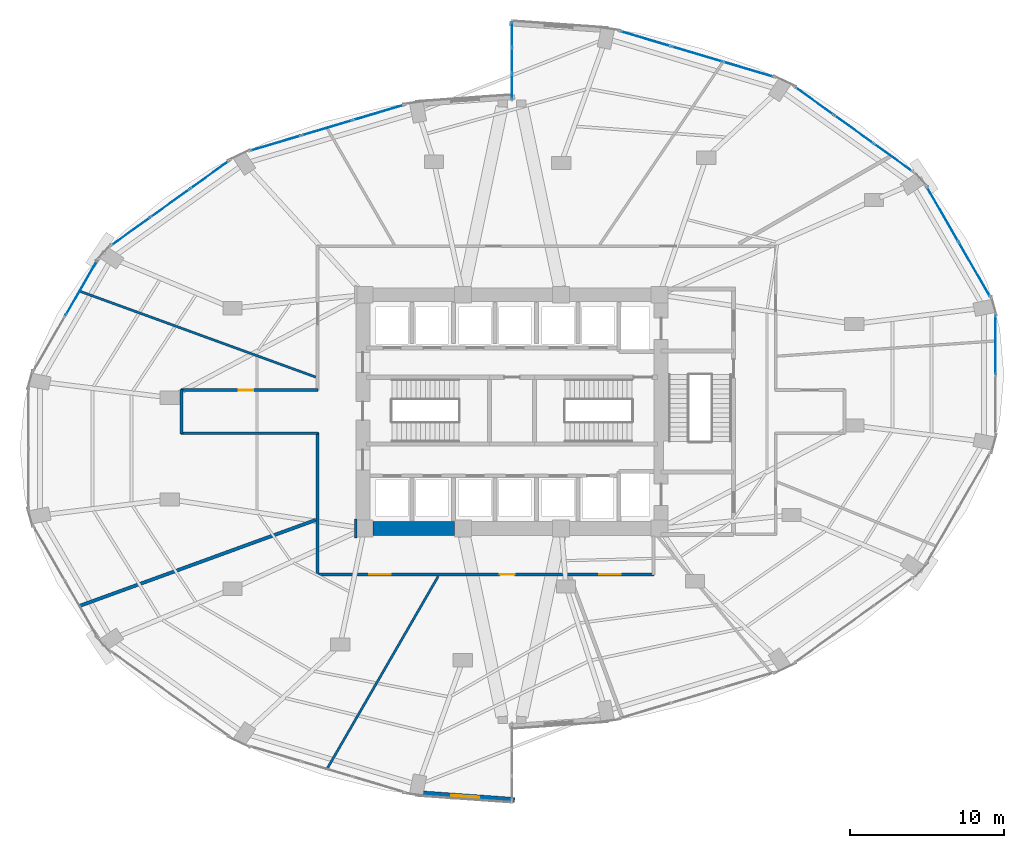
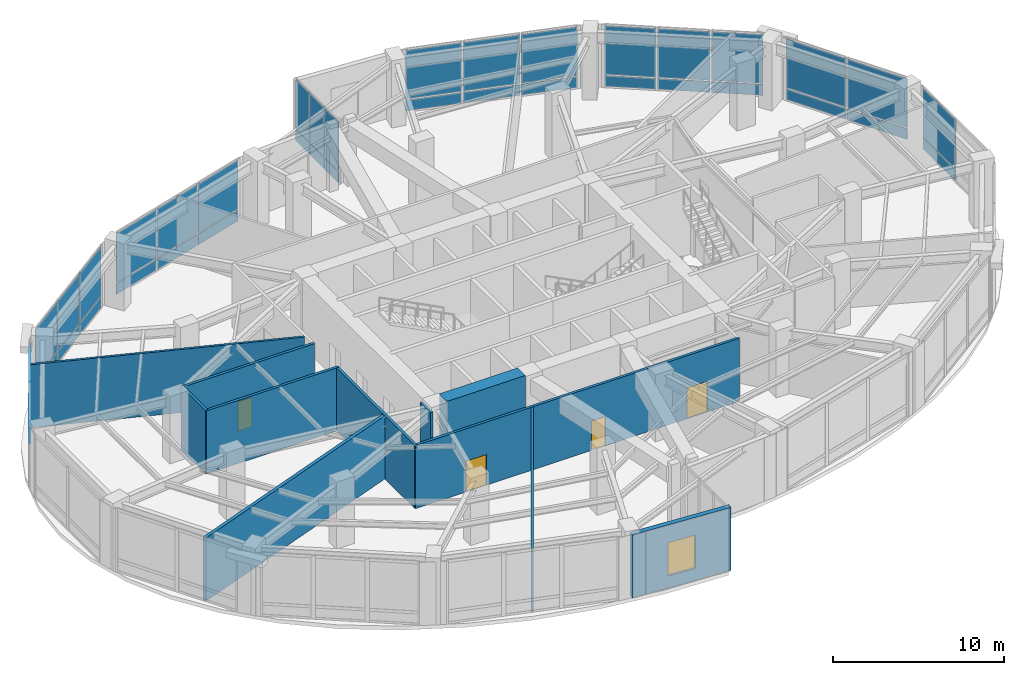
# One storey, part 20 of 24: 38 plates, 11 walls, 4 doors, 1 window, 5 openings, 8 elements without a shape of their own.
"""IFC4 building model written with IfcOpenShell, lengths in metres."""

import ifcopenshell
import ifcopenshell.guid

model = None  # the IFC model being written
_history = None  # IfcOwnerHistory: only IFC2X3 demands one
_inside = {}  # id of a spatial element -> (the spatial element, [elements in it])
_under = {}  # id of a project, library or spatial element -> (it, [spatial elements below it])
_declared = {}  # id of a project -> (the project, [libraries it declares])
_typed = {}  # id of a type object -> (the type object, [elements of that type])
_made_of = {}  # id of a material, layer set ... -> (it, [elements and type objects made of it])


def new_model(schema):
    """Start an empty IFC model of exactly this schema.

    Asked for "IFC4X3", IfcOpenShell would pick the latest addendum, in which some entities
    have other attributes; the version numbers below select the first issue.
    IFC2X3 requires an IfcOwnerHistory on every rooted entity: one is made here for all.
    """
    global model, _history
    if schema == "IFC4X3":
        model = ifcopenshell.file(schema_version=(4, 3, 0, 0))
    else:
        model = ifcopenshell.file(schema=schema)
    _inside.clear()
    _under.clear()
    _declared.clear()
    _typed.clear()
    _made_of.clear()
    _history = None
    if model.schema == "IFC2X3":
        org = make("IfcOrganization", Name="unknown")
        user = make(
            "IfcPersonAndOrganization",
            ThePerson=make("IfcPerson", FamilyName="unknown"),
            TheOrganization=org,
        )
        app = make(
            "IfcApplication",
            ApplicationDeveloper=org,
            Version="unknown",
            ApplicationFullName="unknown",
            ApplicationIdentifier="unknown",
        )
        _history = make(
            "IfcOwnerHistory",
            OwningUser=user,
            OwningApplication=app,
            ChangeAction="ADDED",
            CreationDate=0,
        )
    return model


def make(cls, **values):
    """One entity of the class cls with the attributes given. An attribute that is None is left unset."""
    return model.create_entity(
        cls, **{name: value for name, value in values.items() if value is not None}
    )


def rooted(cls, **values):
    """An entity with a GlobalId (a new one), such as an element, a storey or a relation."""
    return make(cls, GlobalId=ifcopenshell.guid.new(), OwnerHistory=_history, **values)


def si_unit(unit_type, name, prefix=None):
    """IfcSIUnit, for example si_unit("LENGTHUNIT", "METRE", prefix="MILLI")."""
    return make("IfcSIUnit", UnitType=unit_type, Prefix=prefix, Name=name)


def assignment(units):
    """IfcUnitAssignment: the units of a project."""
    return None if units is None else make("IfcUnitAssignment", Units=units)


def point(xyz):
    """IfcCartesianPoint."""
    return None if xyz is None else make("IfcCartesianPoint", Coordinates=xyz)


def direction(xyz):
    """IfcDirection."""
    return None if xyz is None else make("IfcDirection", DirectionRatios=xyz)


def frame(location, z_axis=None, x_axis=None):
    """IfcAxis2Placement3D, a coordinate frame: its origin and axes. An axis left out is left unset."""
    return make(
        "IfcAxis2Placement3D",
        Location=point(location),
        Axis=direction(z_axis),
        RefDirection=direction(x_axis),
    )


def frame_2d(location, x_axis=None):
    """IfcAxis2Placement2D, a coordinate frame in the plane: its origin and x axis."""
    return make(
        "IfcAxis2Placement2D", Location=point(location), RefDirection=direction(x_axis)
    )


def origin():
    """The frame at (0, 0, 0) with its axes left unset."""
    return frame((0.0, 0.0, 0.0))


def origin_2d():
    """The frame at (0, 0) in the plane with its x axis left unset."""
    return frame_2d((0.0, 0.0))


def place(relative_to, where):
    """IfcLocalPlacement: puts the frame where relative to a parent placement (None: the world)."""
    return make(
        "IfcLocalPlacement", PlacementRelTo=relative_to, RelativePlacement=where
    )


def context(
    kind, dimensions, precision=None, world=None, true_north=None, identifier=None
):
    """IfcGeometricRepresentationContext, for example the 3D "Model" context."""
    return make(
        "IfcGeometricRepresentationContext",
        ContextIdentifier=identifier,
        ContextType=kind,
        CoordinateSpaceDimension=dimensions,
        Precision=precision,
        WorldCoordinateSystem=world,
        TrueNorth=true_north,
    )


def subcontext(parent, identifier, kind, view, scale=None):
    """IfcGeometricRepresentationSubContext, for example "Body" below "Model"."""
    return make(
        "IfcGeometricRepresentationSubContext",
        ContextIdentifier=identifier,
        ContextType=kind,
        ParentContext=parent,
        TargetScale=scale,
        TargetView=view,
    )


def project(units=None, contexts=None):
    """IfcProject with its units and contexts."""
    return rooted(
        "IfcProject",
        Name="project",
        RepresentationContexts=contexts,
        UnitsInContext=assignment(units),
    )


def spatial(cls, under=None, at=None, **own):
    """A site, building, storey or space (cls), placed at a placement, below another one or the project."""
    s = rooted(cls, ObjectPlacement=at, **own)
    if under is not None:
        _under.setdefault(under.id(), (under, []))[1].append(s)
    return s


def profile(cls, at=None, kind="AREA", **sizes):
    """A parametric profile (cls). Its sizes go by their IFC names, for example OverallWidth=200.0."""
    return make(cls, ProfileType=kind, Position=at, **sizes)


def rectangle(**sizes):
    """IfcRectangleProfileDef."""
    return profile("IfcRectangleProfileDef", **sizes)


def extrude(swept, where, along, depth):
    """IfcExtrudedAreaSolid: the profile swept, set in the frame where, extruded along a direction by depth."""
    return make(
        "IfcExtrudedAreaSolid",
        SweptArea=swept,
        Position=where,
        ExtrudedDirection=direction(along),
        Depth=depth,
    )


def shape(context_of_items, identifier, shape_type, items):
    """IfcShapeRepresentation: the items that make up one representation, for example the "Body"."""
    return make(
        "IfcShapeRepresentation",
        ContextOfItems=context_of_items,
        RepresentationIdentifier=identifier,
        RepresentationType=shape_type,
        Items=items,
    )


def material(Name=None, Category=None):
    """IfcMaterial."""
    return make("IfcMaterial", Name=Name, Category=Category)


def layer(
    of_material, thickness, ventilated=None, Name=None, Category=None, Priority=None
):
    """IfcMaterialLayer: one layer of a wall or slab, of a material (None: an air gap)."""
    return make(
        "IfcMaterialLayer",
        Material=of_material,
        LayerThickness=thickness,
        IsVentilated=ventilated,
        Name=Name,
        Category=Category,
        Priority=Priority,
    )


def layer_set(layers, Name=None):
    """IfcMaterialLayerSet."""
    return make("IfcMaterialLayerSet", MaterialLayers=layers, LayerSetName=Name)


def made_of(thing, what):
    """Note that an element or type object is made of a material, layer set ...; save() writes the relation."""
    if what is not None:
        _made_of.setdefault(what.id(), (what, []))[1].append(thing)
    return thing


def type_object(cls, material=None, **own):
    """A type object (cls), such as IfcWallType, which elements share."""
    return made_of(rooted(cls, **own), material)


def element(
    cls,
    number,
    at=None,
    inside=None,
    cuts=None,
    type_object=None,
    material=None,
    context=None,
    identifier="Body",
    shape_type=None,
    held_by="IfcProductDefinitionShape",
    body=None,
    shapes=None,
    **own,
):
    """One element of the class cls, such as IfcWall. Its Tag is "e" and its number.

    at: its placement. inside: the storey or other place that contains it. cuts: it is an
    opening in that element (IfcRelVoidsElement). A single representation is given by context,
    identifier, shape_type and body (its items); several are given by shapes. held_by: the class
    of the entity that holds the representations. save() writes the other relations.
    """
    e = rooted(cls, Tag="e%d" % number, ObjectPlacement=at, **own)
    if body is not None:
        shapes = [shape(context, identifier, shape_type, body)]
    if shapes is not None:
        e.Representation = make(held_by, Representations=shapes)
    if inside is not None:
        _inside.setdefault(inside.id(), (inside, []))[1].append(e)
    if cuts is not None:
        rooted(
            "IfcRelVoidsElement", RelatingBuildingElement=cuts, RelatedOpeningElement=e
        )
    if type_object is not None:
        _typed.setdefault(type_object.id(), (type_object, []))[1].append(e)
    return made_of(e, material)


def fill(opening, filler):
    """IfcRelFillsElement: the door or window that sits in an opening."""
    return rooted(
        "IfcRelFillsElement",
        RelatingOpeningElement=opening,
        RelatedBuildingElement=filler,
    )


def aggregate(whole, parts):
    """IfcRelAggregates: a whole, such as a stair, and the parts it consists of."""
    return rooted("IfcRelAggregates", RelatingObject=whole, RelatedObjects=parts)


def save(model, path):
    """Write the relations noted so far, then the file.

    IfcRelAggregates (storeys below a building ...), IfcRelContainedInSpatialStructure (elements
    in a storey), IfcRelDefinesByType, IfcRelAssociatesMaterial and IfcRelDeclares: one each for
    every whole, place, type object, material and project.
    """
    for whole, parts in _under.values():
        aggregate(whole, parts)
    for where, things in _inside.values():
        rooted(
            "IfcRelContainedInSpatialStructure",
            RelatedElements=things,
            RelatingStructure=where,
        )
    for kind, things in _typed.values():
        rooted("IfcRelDefinesByType", RelatedObjects=things, RelatingType=kind)
    for what, things in _made_of.values():
        rooted("IfcRelAssociatesMaterial", RelatedObjects=things, RelatingMaterial=what)
    for by, libraries in _declared.values():
        rooted("IfcRelDeclares", RelatingContext=by, RelatedDefinitions=libraries)
    model.write(path)


model = new_model("IFC4")

# Units and contexts
model_context = context("Model", 3, precision=1e-05, world=origin(), true_north=direction((0.0, 1.0)))
body_context = subcontext(model_context, "Body", "Model", "MODEL_VIEW")
ifc_project = project(units=[si_unit("LENGTHUNIT", "METRE"), si_unit("AREAUNIT", "SQUARE_METRE"), si_unit("VOLUMEUNIT", "CUBIC_METRE"), si_unit("PLANEANGLEUNIT", "RADIAN"), si_unit("MASSUNIT", "GRAM", prefix="KILO")], contexts=[model_context])

# Site, building, storey
site_placement = place(None, origin())
site = spatial("IfcSite", under=ifc_project, at=site_placement, CompositionType="ELEMENT")
building_placement = place(site_placement, origin())
building = spatial("IfcBuilding", under=site, at=building_placement, Name="Lazwardi Medical Tower", CompositionType="ELEMENT")
storey_placement = place(building_placement, frame((0.0, 0.0, 15.60009765625)))
storey = spatial("IfcBuildingStorey", under=building, at=storey_placement, Name="L03", CompositionType="ELEMENT", Elevation=15.60009765625)

# Curtain wall, plate
ifc_material_1 = material(Name="Anodised bronze aluminium and solar control glazing", Category="aluminium")
ifc_layer_1 = layer(ifc_material_1, 0.219970703125)
ifc_layer_set_1 = layer_set([ifc_layer_1], Name="Anodised bronze aluminium and solar control glazing")
curtain_wall_type_1 = type_object("IfcCurtainWallType", Name="CW-SYS-01", PredefinedType="NOTDEFINED", material=ifc_layer_set_1)
curtain_wall_1_placement = place(storey_placement, origin())
curtain_wall_1 = element("IfcCurtainWall", 1, at=curtain_wall_1_placement, inside=storey, type_object=curtain_wall_type_1, Name="L03 Unitised bronze curtain wall CW-01", PredefinedType="NOTDEFINED")
ifc_material_2 = material(Name="Bronze girih ceramic-frit spandrel glazing", Category="glass")
ifc_layer_2 = layer(ifc_material_2, 0.048095703125)
ifc_layer_set_2 = layer_set([ifc_layer_2], Name="Bronze girih ceramic-frit spandrel glazing")
plate_type_1 = type_object("IfcPlateType", Name="PLT-FRT-01", PredefinedType="CURTAIN_PANEL", material=ifc_layer_set_2)
plate_1_placement = place(storey_placement, frame((67.439697265625, 32.33837890625, 0.0849609375), z_axis=(0.0, 0.0, 1.0), x_axis=(0.0, 1.0, 0.0)))
plate_1 = element("IfcPlate", 2, at=plate_1_placement, type_object=plate_type_1, Name="CW-01 panel 2.1", PredefinedType="CURTAIN_PANEL", context=body_context, shape_type="SweptSolid", body=[
    extrude(rectangle(XDim=3.791748046875, YDim=0.048095703125, at=origin_2d()), origin(), (0.0, 0.0, 1.0), 0.7724609375),
])

# Curtain wall, plates
curtain_wall_2_placement = place(storey_placement, origin())
curtain_wall_2 = element("IfcCurtainWall", 3, at=curtain_wall_2_placement, inside=storey, type_object=curtain_wall_type_1, Name="L03 Unitised bronze curtain wall CW-01", PredefinedType="NOTDEFINED")
plate_2_placement = place(storey_placement, frame((66.080322265625, 37.24609375, 0.0849609375), z_axis=(0.0, 0.0, 1.0), x_axis=(-0.499731082384, 0.866180607783, 0.0)))
plate_2 = element("IfcPlate", 4, at=plate_2_placement, type_object=plate_type_1, Name="CW-01 panel 1.1", PredefinedType="CURTAIN_PANEL", context=body_context, shape_type="SweptSolid", body=[
    extrude(rectangle(XDim=4.052734375, YDim=0.048095703125, at=origin_2d()), origin(), (0.0, 0.0, 1.0), 0.7724609375),
])
plate_3_placement = place(storey_placement, frame((64.012451171875, 40.830078125, 0.0849609375), z_axis=(0.0, 0.0, 1.0), x_axis=(-0.499731082384, 0.866180607783, 0.0)))
plate_3 = element("IfcPlate", 5, at=plate_3_placement, type_object=plate_type_1, Name="CW-01 panel 2.1", PredefinedType="CURTAIN_PANEL", context=body_context, shape_type="SweptSolid", body=[
    extrude(rectangle(XDim=4.052734375, YDim=0.048095703125, at=origin_2d()), origin(), (0.0, 0.0, 1.0), 0.7724609375),
])

curtain_wall_3_placement = place(storey_placement, origin())
curtain_wall_3 = element("IfcCurtainWall", 6, at=curtain_wall_3_placement, inside=storey, type_object=curtain_wall_type_1, Name="L03 Unitised bronze curtain wall CW-01", PredefinedType="NOTDEFINED")
plate_4_placement = place(storey_placement, frame((60.787109375, 44.52587890625, 0.0849609375), z_axis=(0.0, 0.0, 1.0), x_axis=(-0.812318365083, 0.583214260584, 0.0)))
plate_4 = element("IfcPlate", 7, at=plate_4_placement, type_object=plate_type_1, Name="CW-01 panel 1.1", PredefinedType="CURTAIN_PANEL", context=body_context, shape_type="SweptSolid", body=[
    extrude(rectangle(XDim=3.040283203125, YDim=0.048095703125, at=origin_2d()), origin(), (0.0, 0.0, 1.0), 0.7724609375),
])
plate_5_placement = place(storey_placement, frame((58.231201171875, 46.361083984375, 0.0849609375), z_axis=(0.0, 0.0, 1.0), x_axis=(-0.812318365083, 0.583214260584, 0.0)))
plate_5 = element("IfcPlate", 8, at=plate_5_placement, type_object=plate_type_1, Name="CW-01 panel 2.1", PredefinedType="CURTAIN_PANEL", context=body_context, shape_type="SweptSolid", body=[
    extrude(rectangle(XDim=3.082763671875, YDim=0.048095703125, at=origin_2d()), origin(), (0.0, 0.0, 1.0), 0.7724609375),
])
plate_6_placement = place(storey_placement, frame((55.675048828125, 48.196044921875, 0.0849609375), z_axis=(0.0, 0.0, 1.0), x_axis=(-0.812318365083, 0.583214260584, 0.0)))
plate_6 = element("IfcPlate", 9, at=plate_6_placement, type_object=plate_type_1, Name="CW-01 panel 3.1", PredefinedType="CURTAIN_PANEL", context=body_context, shape_type="SweptSolid", body=[
    extrude(rectangle(XDim=3.040283203125, YDim=0.048095703125, at=origin_2d()), origin(), (0.0, 0.0, 1.0), 0.7724609375),
])

curtain_wall_4_placement = place(storey_placement, origin())
curtain_wall_4 = element("IfcCurtainWall", 10, at=curtain_wall_4_placement, inside=storey, type_object=curtain_wall_type_1, Name="L03 Unitised bronze curtain wall CW-01", PredefinedType="NOTDEFINED")
plate_7_placement = place(storey_placement, frame((51.373291015625, 50.26025390625, 0.0849609375), z_axis=(0.0, 0.0, 1.0), x_axis=(-0.958513482597, 0.285047195531, 0.0)))
plate_7 = element("IfcPlate", 11, at=plate_7_placement, type_object=plate_type_1, Name="CW-01 panel 1.1", PredefinedType="CURTAIN_PANEL", context=body_context, shape_type="SweptSolid", body=[
    extrude(rectangle(XDim=3.380126953125, YDim=0.048095703125, at=origin_2d()), origin(), (0.0, 0.0, 1.0), 0.7724609375),
])
plate_8_placement = place(storey_placement, frame((48.031494140625, 51.254150390625, 0.0849609375), z_axis=(0.0, 0.0, 1.0), x_axis=(-0.958513482597, 0.285047195531, 0.0)))
plate_8 = element("IfcPlate", 12, at=plate_8_placement, type_object=plate_type_1, Name="CW-01 panel 2.1", PredefinedType="CURTAIN_PANEL", context=body_context, shape_type="SweptSolid", body=[
    extrude(rectangle(XDim=3.422607421875, YDim=0.048095703125, at=origin_2d()), origin(), (0.0, 0.0, 1.0), 0.7724609375),
])
plate_9_placement = place(storey_placement, frame((44.689453125, 52.247802734375, 0.0849609375), z_axis=(0.0, 0.0, 1.0), x_axis=(-0.958513482597, 0.285047195531, 0.0)))
plate_9 = element("IfcPlate", 13, at=plate_9_placement, type_object=plate_type_1, Name="CW-01 panel 3.1", PredefinedType="CURTAIN_PANEL", context=body_context, shape_type="SweptSolid", body=[
    extrude(rectangle(XDim=3.380126953125, YDim=0.048095703125, at=origin_2d()), origin(), (0.0, 0.0, 1.0), 0.7724609375),
])

curtain_wall_5_placement = place(storey_placement, origin())
curtain_wall_5 = element("IfcCurtainWall", 14, at=curtain_wall_5_placement, inside=storey, type_object=curtain_wall_type_1, Name="L03 Unitised bronze curtain wall CW-01", PredefinedType="NOTDEFINED")
plate_10_placement = place(storey_placement, frame((27.310546875, 47.447998046875, 0.0849609375), z_axis=(0.0, 0.0, 1.0), x_axis=(-0.958513482597, -0.285047195531, 0.0)))
plate_10 = element("IfcPlate", 15, at=plate_10_placement, type_object=plate_type_1, Name="CW-01 panel 1.1", PredefinedType="CURTAIN_PANEL", context=body_context, shape_type="SweptSolid", body=[
    extrude(rectangle(XDim=3.380126953125, YDim=0.048095703125, at=origin_2d()), origin(), (0.0, 0.0, 1.0), 0.7724609375),
])
plate_11_placement = place(storey_placement, frame((23.968505859375, 46.4541015625, 0.0849609375), z_axis=(0.0, 0.0, 1.0), x_axis=(-0.958513482597, -0.285047195531, 0.0)))
plate_11 = element("IfcPlate", 16, at=plate_11_placement, type_object=plate_type_1, Name="CW-01 panel 2.1", PredefinedType="CURTAIN_PANEL", context=body_context, shape_type="SweptSolid", body=[
    extrude(rectangle(XDim=3.422607421875, YDim=0.048095703125, at=origin_2d()), origin(), (0.0, 0.0, 1.0), 0.7724609375),
])
plate_12_placement = place(storey_placement, frame((20.626708984375, 45.460205078125, 0.0849609375), z_axis=(0.0, 0.0, 1.0), x_axis=(-0.958513482597, -0.285047195531, 0.0)))
plate_12 = element("IfcPlate", 17, at=plate_12_placement, type_object=plate_type_1, Name="CW-01 panel 3.1", PredefinedType="CURTAIN_PANEL", context=body_context, shape_type="SweptSolid", body=[
    extrude(rectangle(XDim=3.380126953125, YDim=0.048095703125, at=origin_2d()), origin(), (0.0, 0.0, 1.0), 0.7724609375),
])

curtain_wall_6_placement = place(storey_placement, origin())
curtain_wall_6 = element("IfcCurtainWall", 18, at=curtain_wall_6_placement, inside=storey, type_object=curtain_wall_type_1, Name="L03 Unitised bronze curtain wall CW-01", PredefinedType="NOTDEFINED")
plate_13_placement = place(storey_placement, frame((16.324951171875, 43.396240234375, 0.0849609375), z_axis=(0.0, 0.0, 1.0), x_axis=(-0.812318365083, -0.583214260584, 0.0)))
plate_13 = element("IfcPlate", 19, at=plate_13_placement, type_object=plate_type_1, Name="CW-01 panel 1.1", PredefinedType="CURTAIN_PANEL", context=body_context, shape_type="SweptSolid", body=[
    extrude(rectangle(XDim=3.040283203125, YDim=0.048095703125, at=origin_2d()), origin(), (0.0, 0.0, 1.0), 0.7724609375),
])
plate_14_placement = place(storey_placement, frame((13.768798828125, 41.56103515625, 0.0849609375), z_axis=(0.0, 0.0, 1.0), x_axis=(-0.812318365083, -0.583214260584, 0.0)))
plate_14 = element("IfcPlate", 20, at=plate_14_placement, type_object=plate_type_1, Name="CW-01 panel 2.1", PredefinedType="CURTAIN_PANEL", context=body_context, shape_type="SweptSolid", body=[
    extrude(rectangle(XDim=3.082763671875, YDim=0.048095703125, at=origin_2d()), origin(), (0.0, 0.0, 1.0), 0.7724609375),
])
plate_15_placement = place(storey_placement, frame((11.212890625, 39.725830078125, 0.0849609375), z_axis=(0.0, 0.0, 1.0), x_axis=(-0.812318365083, -0.583214260584, 0.0)))
plate_15 = element("IfcPlate", 21, at=plate_15_placement, type_object=plate_type_1, Name="CW-01 panel 3.1", PredefinedType="CURTAIN_PANEL", context=body_context, shape_type="SweptSolid", body=[
    extrude(rectangle(XDim=3.040283203125, YDim=0.048095703125, at=origin_2d()), origin(), (0.0, 0.0, 1.0), 0.7724609375),
])

# Curtain wall, plate
curtain_wall_7_placement = place(storey_placement, origin())
curtain_wall_7 = element("IfcCurtainWall", 22, at=curtain_wall_7_placement, inside=storey, type_object=curtain_wall_type_1, Name="L03 Unitised bronze curtain wall CW-01", PredefinedType="NOTDEFINED")
plate_16_placement = place(storey_placement, frame((7.987548828125, 36.030029296875, 0.0849609375), z_axis=(0.0, 0.0, 1.0), x_axis=(-0.499731082384, -0.866180607783, 0.0)))
plate_16 = element("IfcPlate", 23, at=plate_16_placement, type_object=plate_type_1, Name="CW-01 panel 1.1", PredefinedType="CURTAIN_PANEL", context=body_context, shape_type="SweptSolid", body=[
    extrude(rectangle(XDim=4.052734375, YDim=0.048095703125, at=origin_2d()), origin(), (0.0, 0.0, 1.0), 0.7724609375),
])

# Plate
ifc_material_3 = material(Name="Laminated acoustic bronze double glazing", Category="glass")
ifc_layer_3 = layer(ifc_material_3, 0.0419921875)
ifc_layer_set_3 = layer_set([ifc_layer_3], Name="Laminated acoustic bronze double glazing")
plate_type_2 = type_object("IfcPlateType", Name="PLT-GLZ-02", PredefinedType="CURTAIN_PANEL", material=ifc_layer_set_3)
plate_17_placement = place(storey_placement, frame((67.439697265625, 32.33837890625, 0.9423828125), z_axis=(0.0, 0.0, 1.0), x_axis=(0.0, 1.0, 0.0)))
plate_17 = element("IfcPlate", 24, at=plate_17_placement, type_object=plate_type_2, Name="CW-01 panel 2.2", PredefinedType="CURTAIN_PANEL", context=body_context, shape_type="SweptSolid", body=[
    extrude(rectangle(XDim=3.791748046875, YDim=0.0419921875, at=origin_2d()), origin(), (0.0, 0.0, 1.0), 3.492431640625),
])

aggregate(curtain_wall_1, [plate_1, plate_17])

plate_18_placement = place(storey_placement, frame((66.080322265625, 37.24609375, 0.9423828125), z_axis=(0.0, 0.0, 1.0), x_axis=(-0.499731082384, 0.866180607783, 0.0)))
plate_18 = element("IfcPlate", 25, at=plate_18_placement, type_object=plate_type_2, Name="CW-01 panel 1.2", PredefinedType="CURTAIN_PANEL", context=body_context, shape_type="SweptSolid", body=[
    extrude(rectangle(XDim=4.052734375, YDim=0.0419921875, at=origin_2d()), origin(), (0.0, 0.0, 1.0), 3.492431640625),
])

plate_19_placement = place(storey_placement, frame((64.012451171875, 40.830078125, 0.9423828125), z_axis=(0.0, 0.0, 1.0), x_axis=(-0.499731082384, 0.866180607783, 0.0)))
plate_19 = element("IfcPlate", 26, at=plate_19_placement, type_object=plate_type_2, Name="CW-01 panel 2.2", PredefinedType="CURTAIN_PANEL", context=body_context, shape_type="SweptSolid", body=[
    extrude(rectangle(XDim=4.052734375, YDim=0.0419921875, at=origin_2d()), origin(), (0.0, 0.0, 1.0), 3.492431640625),
])

aggregate(curtain_wall_2, [plate_2, plate_18, plate_3, plate_19])

plate_20_placement = place(storey_placement, frame((60.787109375, 44.52587890625, 0.9423828125), z_axis=(0.0, 0.0, 1.0), x_axis=(-0.812318365083, 0.583214260584, 0.0)))
plate_20 = element("IfcPlate", 27, at=plate_20_placement, type_object=plate_type_2, Name="CW-01 panel 1.2", PredefinedType="CURTAIN_PANEL", context=body_context, shape_type="SweptSolid", body=[
    extrude(rectangle(XDim=3.040283203125, YDim=0.0419921875, at=origin_2d()), origin(), (0.0, 0.0, 1.0), 3.492431640625),
])

plate_21_placement = place(storey_placement, frame((58.231201171875, 46.361083984375, 0.9423828125), z_axis=(0.0, 0.0, 1.0), x_axis=(-0.812318365083, 0.583214260584, 0.0)))
plate_21 = element("IfcPlate", 28, at=plate_21_placement, type_object=plate_type_2, Name="CW-01 panel 2.2", PredefinedType="CURTAIN_PANEL", context=body_context, shape_type="SweptSolid", body=[
    extrude(rectangle(XDim=3.082763671875, YDim=0.0419921875, at=origin_2d()), origin(), (0.0, 0.0, 1.0), 3.492431640625),
])

plate_22_placement = place(storey_placement, frame((55.675048828125, 48.196044921875, 0.9423828125), z_axis=(0.0, 0.0, 1.0), x_axis=(-0.812318365083, 0.583214260584, 0.0)))
plate_22 = element("IfcPlate", 29, at=plate_22_placement, type_object=plate_type_2, Name="CW-01 panel 3.2", PredefinedType="CURTAIN_PANEL", context=body_context, shape_type="SweptSolid", body=[
    extrude(rectangle(XDim=3.040283203125, YDim=0.0419921875, at=origin_2d()), origin(), (0.0, 0.0, 1.0), 3.492431640625),
])

aggregate(curtain_wall_3, [plate_4, plate_20, plate_5, plate_21, plate_6, plate_22])

plate_23_placement = place(storey_placement, frame((51.373291015625, 50.26025390625, 0.9423828125), z_axis=(0.0, 0.0, 1.0), x_axis=(-0.958513482597, 0.285047195531, 0.0)))
plate_23 = element("IfcPlate", 30, at=plate_23_placement, type_object=plate_type_2, Name="CW-01 panel 1.2", PredefinedType="CURTAIN_PANEL", context=body_context, shape_type="SweptSolid", body=[
    extrude(rectangle(XDim=3.380126953125, YDim=0.0419921875, at=origin_2d()), origin(), (0.0, 0.0, 1.0), 3.492431640625),
])

plate_24_placement = place(storey_placement, frame((48.031494140625, 51.254150390625, 0.9423828125), z_axis=(0.0, 0.0, 1.0), x_axis=(-0.958513482597, 0.285047195531, 0.0)))
plate_24 = element("IfcPlate", 31, at=plate_24_placement, type_object=plate_type_2, Name="CW-01 panel 2.2", PredefinedType="CURTAIN_PANEL", context=body_context, shape_type="SweptSolid", body=[
    extrude(rectangle(XDim=3.422607421875, YDim=0.0419921875, at=origin_2d()), origin(), (0.0, 0.0, 1.0), 3.492431640625),
])

plate_25_placement = place(storey_placement, frame((44.689453125, 52.247802734375, 0.9423828125), z_axis=(0.0, 0.0, 1.0), x_axis=(-0.958513482597, 0.285047195531, 0.0)))
plate_25 = element("IfcPlate", 32, at=plate_25_placement, type_object=plate_type_2, Name="CW-01 panel 3.2", PredefinedType="CURTAIN_PANEL", context=body_context, shape_type="SweptSolid", body=[
    extrude(rectangle(XDim=3.380126953125, YDim=0.0419921875, at=origin_2d()), origin(), (0.0, 0.0, 1.0), 3.492431640625),
])

aggregate(curtain_wall_4, [plate_7, plate_23, plate_8, plate_24, plate_9, plate_25])

plate_26_placement = place(storey_placement, frame((27.310546875, 47.447998046875, 0.9423828125), z_axis=(0.0, 0.0, 1.0), x_axis=(-0.958513482597, -0.285047195531, 0.0)))
plate_26 = element("IfcPlate", 33, at=plate_26_placement, type_object=plate_type_2, Name="CW-01 panel 1.2", PredefinedType="CURTAIN_PANEL", context=body_context, shape_type="SweptSolid", body=[
    extrude(rectangle(XDim=3.380126953125, YDim=0.0419921875, at=origin_2d()), origin(), (0.0, 0.0, 1.0), 3.492431640625),
])

plate_27_placement = place(storey_placement, frame((23.968505859375, 46.4541015625, 0.9423828125), z_axis=(0.0, 0.0, 1.0), x_axis=(-0.958513482597, -0.285047195531, 0.0)))
plate_27 = element("IfcPlate", 34, at=plate_27_placement, type_object=plate_type_2, Name="CW-01 panel 2.2", PredefinedType="CURTAIN_PANEL", context=body_context, shape_type="SweptSolid", body=[
    extrude(rectangle(XDim=3.422607421875, YDim=0.0419921875, at=origin_2d()), origin(), (0.0, 0.0, 1.0), 3.492431640625),
])

plate_28_placement = place(storey_placement, frame((20.626708984375, 45.460205078125, 0.9423828125), z_axis=(0.0, 0.0, 1.0), x_axis=(-0.958513482597, -0.285047195531, 0.0)))
plate_28 = element("IfcPlate", 35, at=plate_28_placement, type_object=plate_type_2, Name="CW-01 panel 3.2", PredefinedType="CURTAIN_PANEL", context=body_context, shape_type="SweptSolid", body=[
    extrude(rectangle(XDim=3.380126953125, YDim=0.0419921875, at=origin_2d()), origin(), (0.0, 0.0, 1.0), 3.492431640625),
])

aggregate(curtain_wall_5, [plate_10, plate_26, plate_11, plate_27, plate_12, plate_28])

plate_29_placement = place(storey_placement, frame((16.324951171875, 43.396240234375, 0.9423828125), z_axis=(0.0, 0.0, 1.0), x_axis=(-0.812318365083, -0.583214260584, 0.0)))
plate_29 = element("IfcPlate", 36, at=plate_29_placement, type_object=plate_type_2, Name="CW-01 panel 1.2", PredefinedType="CURTAIN_PANEL", context=body_context, shape_type="SweptSolid", body=[
    extrude(rectangle(XDim=3.040283203125, YDim=0.0419921875, at=origin_2d()), origin(), (0.0, 0.0, 1.0), 3.492431640625),
])

plate_30_placement = place(storey_placement, frame((13.768798828125, 41.56103515625, 0.9423828125), z_axis=(0.0, 0.0, 1.0), x_axis=(-0.812318365083, -0.583214260584, 0.0)))
plate_30 = element("IfcPlate", 37, at=plate_30_placement, type_object=plate_type_2, Name="CW-01 panel 2.2", PredefinedType="CURTAIN_PANEL", context=body_context, shape_type="SweptSolid", body=[
    extrude(rectangle(XDim=3.082763671875, YDim=0.0419921875, at=origin_2d()), origin(), (0.0, 0.0, 1.0), 3.492431640625),
])

plate_31_placement = place(storey_placement, frame((11.212890625, 39.725830078125, 0.9423828125), z_axis=(0.0, 0.0, 1.0), x_axis=(-0.812318365083, -0.583214260584, 0.0)))
plate_31 = element("IfcPlate", 38, at=plate_31_placement, type_object=plate_type_2, Name="CW-01 panel 3.2", PredefinedType="CURTAIN_PANEL", context=body_context, shape_type="SweptSolid", body=[
    extrude(rectangle(XDim=3.040283203125, YDim=0.0419921875, at=origin_2d()), origin(), (0.0, 0.0, 1.0), 3.492431640625),
])

aggregate(curtain_wall_6, [plate_13, plate_29, plate_14, plate_30, plate_15, plate_31])

plate_32_placement = place(storey_placement, frame((7.987548828125, 36.030029296875, 0.9423828125), z_axis=(0.0, 0.0, 1.0), x_axis=(-0.499731082384, -0.866180607783, 0.0)))
plate_32 = element("IfcPlate", 39, at=plate_32_placement, type_object=plate_type_2, Name="CW-01 panel 1.2", PredefinedType="CURTAIN_PANEL", context=body_context, shape_type="SweptSolid", body=[
    extrude(rectangle(XDim=4.052734375, YDim=0.0419921875, at=origin_2d()), origin(), (0.0, 0.0, 1.0), 3.492431640625),
])

aggregate(curtain_wall_7, [plate_16, plate_32])

# Curtain wall, plates
ifc_layer_4 = layer(ifc_material_1, 0.2099609375)
ifc_layer_set_4 = layer_set([ifc_layer_4], Name="Anodised bronze aluminium and solar control glazing")
curtain_wall_type_2 = type_object("IfcCurtainWallType", Name="CW-SYS-06", PredefinedType="NOTDEFINED", material=ifc_layer_set_4)
curtain_wall_8_placement = place(storey_placement, origin())
curtain_wall_8 = element("IfcCurtainWall", 40, at=curtain_wall_8_placement, inside=storey, type_object=curtain_wall_type_2, Name="L03 Unitised bronze curtain wall CW-06", PredefinedType="NOTDEFINED")
ifc_material_4 = material(Name="Turquoise glazed ceramic insulated panel", Category="glass")
ifc_layer_5 = layer(ifc_material_4, 0.053955078125)
ifc_layer_set_5 = layer_set([ifc_layer_5], Name="Turquoise glazed ceramic insulated panel")
plate_type_3 = type_object("IfcPlateType", Name="PLT-TRQ-01", PredefinedType="CURTAIN_PANEL", material=ifc_layer_set_5)
plate_33_placement = place(storey_placement, frame((36.0, 52.52783203125, 0.074951171875), z_axis=(0.0, 0.0, 1.0), x_axis=(0.0, -1.0, 0.0)))
plate_33 = element("IfcPlate", 41, at=plate_33_placement, type_object=plate_type_3, Name="CW-06 panel 1.1", PredefinedType="CURTAIN_PANEL", context=body_context, shape_type="SweptSolid", body=[
    extrude(rectangle(XDim=1.59423828125, YDim=0.053955078125, at=origin_2d()), origin(), (0.0, 0.0, 1.0), 0.78759765625),
])
plate_34_placement = place(storey_placement, frame((36.0, 52.52783203125, 0.9375), z_axis=(0.0, 0.0, 1.0), x_axis=(0.0, -1.0, 0.0)))
plate_34 = element("IfcPlate", 42, at=plate_34_placement, type_object=plate_type_3, Name="CW-06 panel 1.2", PredefinedType="CURTAIN_PANEL", context=body_context, shape_type="SweptSolid", body=[
    extrude(rectangle(XDim=1.59423828125, YDim=0.053955078125, at=origin_2d()), origin(), (0.0, 0.0, 1.0), 3.507568359375),
])
plate_35_placement = place(storey_placement, frame((36.0, 50.840087890625, 0.074951171875), z_axis=(0.0, 0.0, 1.0), x_axis=(0.0, -1.0, 0.0)))
plate_35 = element("IfcPlate", 43, at=plate_35_placement, type_object=plate_type_3, Name="CW-06 panel 2.1", PredefinedType="CURTAIN_PANEL", context=body_context, shape_type="SweptSolid", body=[
    extrude(rectangle(XDim=1.631591796875, YDim=0.053955078125, at=origin_2d()), origin(), (0.0, 0.0, 1.0), 0.78759765625),
])
plate_36_placement = place(storey_placement, frame((36.0, 50.840087890625, 0.9375), z_axis=(0.0, 0.0, 1.0), x_axis=(0.0, -1.0, 0.0)))
plate_36 = element("IfcPlate", 44, at=plate_36_placement, type_object=plate_type_3, Name="CW-06 panel 2.2", PredefinedType="CURTAIN_PANEL", context=body_context, shape_type="SweptSolid", body=[
    extrude(rectangle(XDim=1.631591796875, YDim=0.053955078125, at=origin_2d()), origin(), (0.0, 0.0, 1.0), 3.507568359375),
])
plate_37_placement = place(storey_placement, frame((36.0, 49.152099609375, 0.074951171875), z_axis=(0.0, 0.0, 1.0), x_axis=(0.0, -1.0, 0.0)))
plate_37 = element("IfcPlate", 45, at=plate_37_placement, type_object=plate_type_3, Name="CW-06 panel 3.1", PredefinedType="CURTAIN_PANEL", context=body_context, shape_type="SweptSolid", body=[
    extrude(rectangle(XDim=1.59423828125, YDim=0.053955078125, at=origin_2d()), origin(), (0.0, 0.0, 1.0), 0.78759765625),
])
plate_38_placement = place(storey_placement, frame((36.0, 49.152099609375, 0.9375), z_axis=(0.0, 0.0, 1.0), x_axis=(0.0, -1.0, 0.0)))
plate_38 = element("IfcPlate", 46, at=plate_38_placement, type_object=plate_type_3, Name="CW-06 panel 3.2", PredefinedType="CURTAIN_PANEL", context=body_context, shape_type="SweptSolid", body=[
    extrude(rectangle(XDim=1.59423828125, YDim=0.053955078125, at=origin_2d()), origin(), (0.0, 0.0, 1.0), 3.507568359375),
])
aggregate(curtain_wall_8, [plate_33, plate_34, plate_35, plate_36, plate_37, plate_38])

# Wall
ifc_material_5 = material(Name="Fire-rated gypsum board on steel stud", Category="steel")
ifc_layer_6 = layer(ifc_material_5, 0.179931640625)
ifc_layer_set_6 = layer_set([ifc_layer_6], Name="Fire-rated gypsum board on steel stud")
wall_type_1 = type_object("IfcWallType", Name="WL-COR-180", PredefinedType="PARTITIONING", material=ifc_layer_set_6)
wall_1_placement = place(storey_placement, frame((14.5, 26.56005859375, 0.0), z_axis=(0.0, 0.0, 1.0), x_axis=(0.0, 1.0, 0.0)))
element("IfcWall", 47, at=wall_1_placement, inside=storey, type_object=wall_type_1, Name="L03 Corridor partition 1", PredefinedType="PARTITIONING", context=body_context, shape_type="SweptSolid", body=[
    extrude(rectangle(XDim=2.8798828125, YDim=0.179931640625, at=frame_2d((1.43994140625, 0.0))), origin(), (0.0, 0.0, 1.0), 4.52001953125),
])

# Wall, opening, door
wall_2_placement = place(storey_placement, frame((14.4599609375, 29.39990234375, 0.0), z_axis=(0.0, 0.0, 1.0), x_axis=(1.0, 0.0, 0.0)))
wall_2 = element("IfcWall", 48, at=wall_2_placement, inside=storey, type_object=wall_type_1, Name="L03 Corridor partition 2", PredefinedType="PARTITIONING", context=body_context, shape_type="SweptSolid", body=[
    extrude(rectangle(XDim=8.929931640625, YDim=0.179931640625, at=frame_2d((4.46484375, 0.0))), origin(), (0.0, 0.0, 1.0), 4.52001953125),
])
opening_1_placement = place(wall_2_placement, frame((3.764892578125, 0.0, 0.0)))
opening_1 = element("IfcOpeningElement", 49, at=opening_1_placement, cuts=wall_2, Name="Opening D-L03-006", PredefinedType="OPENING", context=body_context, shape_type="SweptSolid", body=[
    extrude(rectangle(XDim=0.949951171875, YDim=2.10009765625, at=frame_2d((0.47509765625, 1.050048828125))), frame((0.0, 0.099853515625, 0.0), z_axis=(0.0, -1.0, 0.0), x_axis=(1.0, 0.0, 0.0)), (0.0, 0.0, 1.0), 0.199951171875),
])
ifc_material_6 = material(Name="Moisture-resistant laminate door leaf")
door_type_1 = type_object("IfcDoorType", Name="DR-ENS-950", OperationType="NOTDEFINED", PredefinedType="DOOR", material=ifc_material_6)
door_1_placement = place(opening_1_placement, origin())
door_1 = element("IfcDoor", 50, at=door_1_placement, inside=storey, type_object=door_type_1, Name="L03 Operating Theatre Door 01", OperationType="SINGLE_SWING_LEFT", OverallHeight=2.10009765625, OverallWidth=0.949951171875, PredefinedType="DOOR", context=body_context, shape_type="SweptSolid", body=[
    extrude(rectangle(XDim=0.949951171875, YDim=2.10009765625, at=frame_2d((0.47509765625, 1.050048828125))), frame((0.0, 0.02490234375, 0.0), z_axis=(0.0, -1.0, 0.0), x_axis=(1.0, 0.0, 0.0)), (0.0, 0.0, 1.0), 0.050048828125),
])
fill(opening_1, door_1)

# Wall
wall_3_placement = place(storey_placement, frame((25.830078125, 21.010009765625, 0.0), z_axis=(0.0, 0.0, 1.0), x_axis=(0.0, -1.0, 0.0)))
element("IfcWall", 51, at=wall_3_placement, inside=storey, type_object=wall_type_1, Name="L03 Corridor partition 12", PredefinedType="PARTITIONING", context=body_context, shape_type="SweptSolid", body=[
    extrude(rectangle(XDim=1.219970703125, YDim=0.179931640625, at=frame_2d((0.60986328125, 0.0))), origin(), (0.0, 0.0, 1.0), 4.52001953125),
])

# Wall, openings, doors
wall_4_placement = place(storey_placement, frame((45.239990234375, 17.39990234375, 0.0), z_axis=(0.0, 0.0, 1.0), x_axis=(-1.0, 0.0, 0.0)))
wall_4 = element("IfcWall", 52, at=wall_4_placement, inside=storey, type_object=wall_type_1, Name="L03 Corridor partition 14", PredefinedType="PARTITIONING", context=body_context, shape_type="SweptSolid", body=[
    extrude(rectangle(XDim=21.929931640625, YDim=0.179931640625, at=frame_2d((10.96484375, 0.0))), origin(), (0.0, 0.0, 1.0), 4.52001953125),
])
opening_2_placement = place(wall_4_placement, frame((17.127197265625, 0.0, 0.0)))
opening_2 = element("IfcOpeningElement", 53, at=opening_2_placement, cuts=wall_4, Name="Opening D-L03-007", PredefinedType="OPENING", context=body_context, shape_type="SweptSolid", body=[
    extrude(rectangle(XDim=1.39990234375, YDim=2.199951171875, at=frame_2d((0.699951171875, 1.10009765625))), frame((0.0, 0.099853515625, 0.0), z_axis=(0.0, -1.0, 0.0), x_axis=(1.0, 0.0, 0.0)), (0.0, 0.0, 1.0), 0.199951171875),
])
opening_3_placement = place(wall_4_placement, frame((9.0712890625, 0.0, 0.0)))
opening_3 = element("IfcOpeningElement", 54, at=opening_3_placement, cuts=wall_4, Name="Opening D-L03-008", PredefinedType="OPENING", context=body_context, shape_type="SweptSolid", body=[
    extrude(rectangle(XDim=0.949951171875, YDim=2.10009765625, at=frame_2d((0.47509765625, 1.050048828125))), frame((0.0, 0.099853515625, 0.0), z_axis=(0.0, -1.0, 0.0), x_axis=(1.0, 0.0, 0.0)), (0.0, 0.0, 1.0), 0.199951171875),
])
opening_4_placement = place(wall_4_placement, frame((2.1767578125, 0.0, 0.0)))
opening_4 = element("IfcOpeningElement", 55, at=opening_4_placement, cuts=wall_4, Name="Opening D-L03-009", PredefinedType="OPENING", context=body_context, shape_type="SweptSolid", body=[
    extrude(rectangle(XDim=1.39990234375, YDim=2.199951171875, at=frame_2d((0.699951171875, 1.10009765625))), frame((0.0, 0.099853515625, 0.0), z_axis=(0.0, -1.0, 0.0), x_axis=(1.0, 0.0, 0.0)), (0.0, 0.0, 1.0), 0.199951171875),
])
ifc_material_7 = material(Name="Anti-microbial laminate hospital leaf")
door_type_2 = type_object("IfcDoorType", Name="DR-BED-1400", OperationType="NOTDEFINED", PredefinedType="DOOR", material=ifc_material_7)
door_2_placement = place(opening_2_placement, origin())
door_2 = element("IfcDoor", 56, at=door_2_placement, inside=storey, type_object=door_type_2, Name="L03 Sterile Preparation Room Door 02", OperationType="SINGLE_SWING_RIGHT", OverallHeight=2.199951171875, OverallWidth=1.39990234375, PredefinedType="DOOR", context=body_context, shape_type="SweptSolid", body=[
    extrude(rectangle(XDim=1.39990234375, YDim=2.199951171875, at=frame_2d((0.699951171875, 1.10009765625))), frame((0.0, 0.02490234375, 0.0), z_axis=(0.0, -1.0, 0.0), x_axis=(1.0, 0.0, 0.0)), (0.0, 0.0, 1.0), 0.050048828125),
])
fill(opening_2, door_2)
door_3_placement = place(opening_4_placement, origin())
door_3 = element("IfcDoor", 57, at=door_3_placement, inside=storey, type_object=door_type_2, Name="L03 Surgical Intensive Care Unit Door 04", OperationType="SINGLE_SWING_RIGHT", OverallHeight=2.199951171875, OverallWidth=1.39990234375, PredefinedType="DOOR", context=body_context, shape_type="SweptSolid", body=[
    extrude(rectangle(XDim=1.39990234375, YDim=2.199951171875, at=frame_2d((0.699951171875, 1.10009765625))), frame((0.0, 0.02490234375, 0.0), z_axis=(0.0, -1.0, 0.0), x_axis=(1.0, 0.0, 0.0)), (0.0, 0.0, 1.0), 0.050048828125),
])
fill(opening_4, door_3)
door_4_placement = place(opening_3_placement, origin())
door_4 = element("IfcDoor", 58, at=door_4_placement, inside=storey, type_object=door_type_1, Name="L03 Operating Theatre Door 03", OperationType="SINGLE_SWING_LEFT", OverallHeight=2.10009765625, OverallWidth=0.949951171875, PredefinedType="DOOR", context=body_context, shape_type="SweptSolid", body=[
    extrude(rectangle(XDim=0.949951171875, YDim=2.10009765625, at=frame_2d((0.47509765625, 1.050048828125))), frame((0.0, 0.02490234375, 0.0), z_axis=(0.0, -1.0, 0.0), x_axis=(1.0, 0.0, 0.0)), (0.0, 0.0, 1.0), 0.050048828125),
])
fill(opening_3, door_4)

# Walls
wall_5_placement = place(storey_placement, frame((23.35009765625, 17.360107421875, 0.0), z_axis=(0.0, 0.0, 1.0), x_axis=(0.0, 1.0, 0.0)))
element("IfcWall", 59, at=wall_5_placement, inside=storey, type_object=wall_type_1, Name="L03 Corridor partition 15", PredefinedType="PARTITIONING", context=body_context, shape_type="SweptSolid", body=[
    extrude(rectangle(XDim=9.27978515625, YDim=0.179931640625, at=frame_2d((4.639892578125, 0.0))), origin(), (0.0, 0.0, 1.0), 4.52001953125),
])
wall_6_placement = place(storey_placement, frame((23.389892578125, 26.60009765625, 0.0), z_axis=(0.0, 0.0, 1.0), x_axis=(-1.0, 0.0, 0.0)))
element("IfcWall", 60, at=wall_6_placement, inside=storey, type_object=wall_type_1, Name="L03 Corridor partition 16", PredefinedType="PARTITIONING", context=body_context, shape_type="SweptSolid", body=[
    extrude(rectangle(XDim=8.929931640625, YDim=0.179931640625, at=frame_2d((4.46484375, 0.0))), origin(), (0.0, 0.0, 1.0), 4.52001953125),
])
ifc_material_8 = material(Name="Concrete C80/95", Category="concrete")
ifc_layer_7 = layer(ifc_material_8, 0.89990234375)
ifc_layer_set_7 = layer_set([ifc_layer_7], Name="Concrete C80/95")
wall_type_2 = type_object("IfcWallType", Name="WL-CORE-900", PredefinedType="SHEAR", material=ifc_layer_set_7)
wall_7_placement = place(storey_placement, frame((26.949951171875, 20.39990234375, 0.0), z_axis=(0.0, 0.0, 1.0), x_axis=(1.0, 0.0, 0.0)))
element("IfcWall", 61, at=wall_7_placement, inside=storey, type_object=wall_type_2, Name="Core wall CW-S1 S1 L03", PredefinedType="SHEAR", context=body_context, shape_type="SweptSolid", body=[
    extrude(rectangle(XDim=5.300048828125, YDim=0.89990234375, at=frame_2d((2.64990234375, 0.0))), origin(), (0.0, 0.0, 1.0), 4.7998046875),
])

# Wall, opening, window
ifc_material_9 = material(Name="Precast concrete C45/55", Category="concrete")
ifc_layer_8 = layer(ifc_material_9, 0.320068359375)
ifc_layer_set_8 = layer_set([ifc_layer_8], Name="Precast concrete C45/55")
wall_type_3 = type_object("IfcWallType", Name="WL-IWAN-320", PredefinedType="SOLIDWALL", material=ifc_layer_set_8)
wall_8_placement = place(storey_placement, frame((29.73828125, 3.202392578125, 0.0), z_axis=(0.0, 0.0, 1.0), x_axis=(0.997513108184, -0.070481196075, 0.0)))
wall_8 = element("IfcWall", 62, at=wall_8_placement, inside=storey, type_object=wall_type_3, Name="L03 Iwan Portal Return Wall SW_ret", PredefinedType="SOLIDWALL", context=body_context, shape_type="SweptSolid", body=[
    extrude(rectangle(XDim=6.456787109375, YDim=0.320068359375, at=frame_2d((3.228515625, 0.0))), origin(), (0.0, 0.0, 1.0), 4.52001953125),
])
opening_5_placement = place(wall_8_placement, frame((2.328369140625, 0.0, 0.85009765625)))
opening_5 = element("IfcOpeningElement", 63, at=opening_5_placement, cuts=wall_8, Name="Opening WN-03", PredefinedType="OPENING", context=body_context, shape_type="SweptSolid", body=[
    extrude(rectangle(XDim=1.800048828125, YDim=2.39990234375, at=frame_2d((0.89990234375, 1.199951171875))), frame((0.0, 0.169921875, 0.0), z_axis=(0.0, -1.0, 0.0), x_axis=(1.0, 0.0, 0.0)), (0.0, 0.0, 1.0), 0.340087890625),
])
window_type = type_object("IfcWindowType", Name="WIN-POD-1800", PartitioningType="SINGLE_PANEL", PredefinedType="WINDOW", material=ifc_material_3)
window_placement = place(opening_5_placement, origin())
window = element("IfcWindow", 64, at=window_placement, inside=storey, type_object=window_type, Name="L03 Iwan Slot Window SW_ret", OverallHeight=2.39990234375, OverallWidth=1.800048828125, PartitioningType="SINGLE_PANEL", PredefinedType="WINDOW", context=body_context, shape_type="SweptSolid", body=[
    extrude(rectangle(XDim=1.800048828125, YDim=2.39990234375, at=frame_2d((0.89990234375, 1.199951171875))), frame((0.0, 0.030029296875, 0.0), z_axis=(0.0, -1.0, 0.0), x_axis=(1.0, 0.0, 0.0)), (0.0, 0.0, 1.0), 0.06005859375),
])
fill(opening_5, window)

# Walls
ifc_layer_9 = layer(ifc_material_5, 0.219970703125)
ifc_layer_set_9 = layer_set([ifc_layer_9], Name="Fire-rated gypsum board on steel stud")
wall_type_4 = type_object("IfcWallType", Name="WL-SMK-220", PredefinedType="PARTITIONING", material=ifc_layer_set_9)
wall_9_placement = place(storey_placement, frame((23.238525390625, 20.955078125, 0.0), z_axis=(0.0, 0.0, 1.0), x_axis=(-0.939696131956, -0.342010496311, 0.0)))
element("IfcWall", 65, at=wall_9_placement, inside=storey, type_object=wall_type_4, Name="L03 Room partition 9", PredefinedType="PARTITIONING", context=body_context, shape_type="SweptSolid", body=[
    extrude(rectangle(XDim=16.3447265625, YDim=0.219970703125, at=frame_2d((8.17236328125, 0.0))), origin(), (0.0, 0.0, 1.0), 4.52001953125),
])
ifc_material_10 = material(Name="Acoustic gypsum board partition")
ifc_layer_10 = layer(ifc_material_10, 0.14990234375)
ifc_layer_set_10 = layer_set([ifc_layer_10], Name="Acoustic gypsum board partition")
wall_type_5 = type_object("IfcWallType", Name="WL-WRD-150", PredefinedType="PARTITIONING", material=ifc_layer_set_10)
wall_10_placement = place(storey_placement, frame((23.238525390625, 30.244873046875, 0.0), z_axis=(0.0, 0.0, 1.0), x_axis=(-0.939691331374, 0.342023685934, 0.0)))
element("IfcWall", 66, at=wall_10_placement, inside=storey, type_object=wall_type_5, Name="L03 Room partition 8", PredefinedType="PARTITIONING", context=body_context, shape_type="SweptSolid", body=[
    extrude(rectangle(XDim=16.344970703125, YDim=0.14990234375, at=frame_2d((8.17236328125, 0.0))), origin(), (0.0, 0.0, 1.0), 4.52001953125),
])
wall_11_placement = place(storey_placement, frame((31.2041015625, 17.29296875, 0.0), z_axis=(0.0, 0.0, 1.0), x_axis=(-0.500008108359, -0.866020722371, 0.0)))
element("IfcWall", 67, at=wall_11_placement, inside=storey, type_object=wall_type_5, Name="L03 Room partition 10", PredefinedType="PARTITIONING", context=body_context, shape_type="SweptSolid", body=[
    extrude(rectangle(XDim=14.475830078125, YDim=0.14990234375, at=frame_2d((7.23779296875, 0.0))), origin(), (0.0, 0.0, 1.0), 4.52001953125),
])

save(model, "model.ifc")
